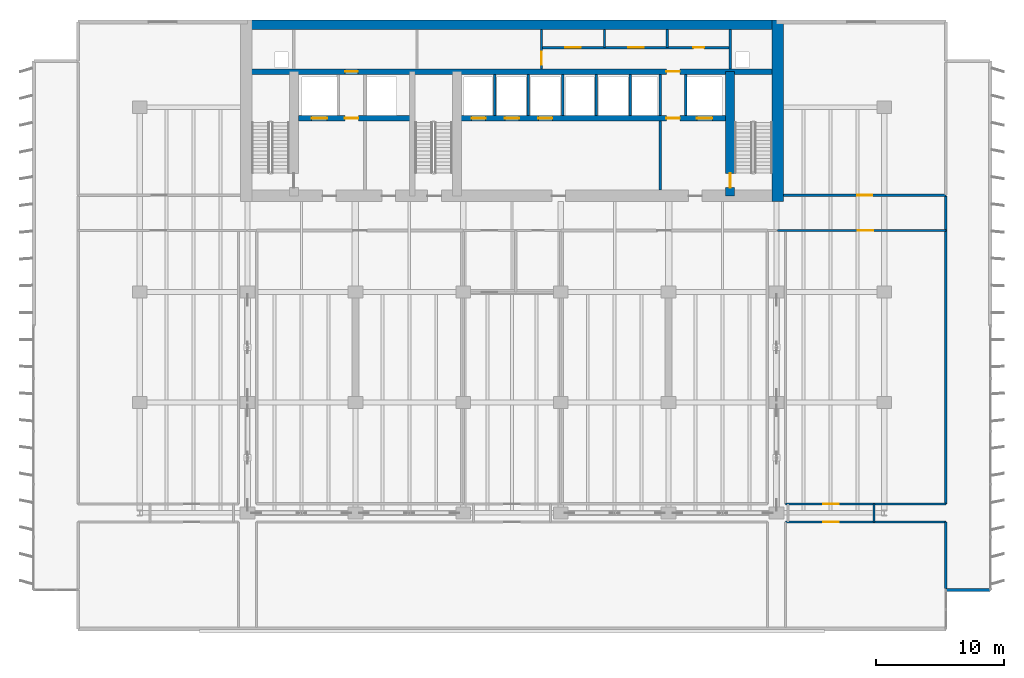
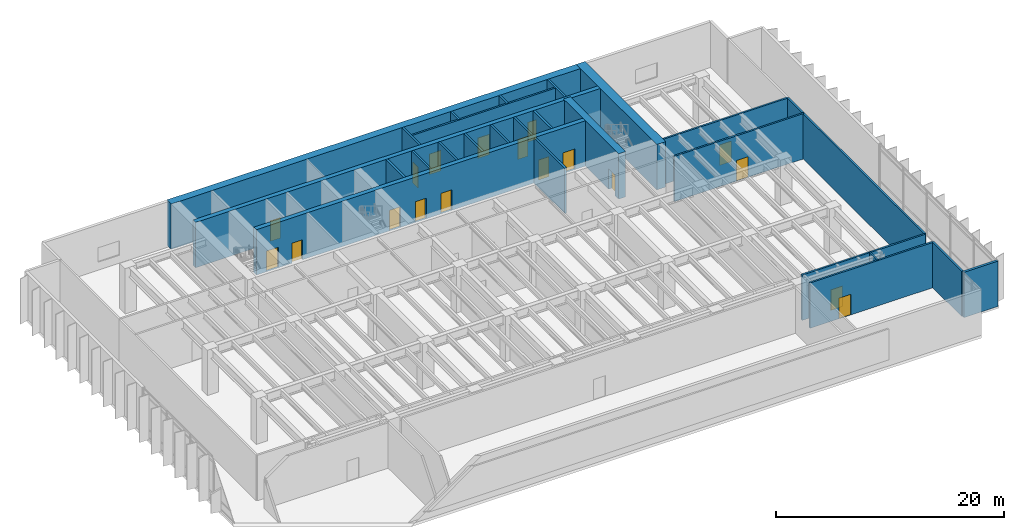
# One storey, part 16 of 21: 26 walls, 18 doors, 18 openings.
"""IFC4 building model written with IfcOpenShell, lengths in metres."""

from ifc_helpers import new_model, si_unit, direction, frame, frame_2d, origin, place, context, subcontext, project, spatial, rectangle, extrude, material, layer, layer_set, type_object, element, fill, save


model = new_model("IFC4")

# Units and contexts
model_context = context("Model", 3, precision=1e-05, world=origin(), true_north=direction((0.0, 1.0)))
body_context = subcontext(model_context, "Body", "Model", "MODEL_VIEW")
ifc_project = project(units=[si_unit("LENGTHUNIT", "METRE"), si_unit("AREAUNIT", "SQUARE_METRE"), si_unit("VOLUMEUNIT", "CUBIC_METRE"), si_unit("PLANEANGLEUNIT", "RADIAN"), si_unit("MASSUNIT", "GRAM", prefix="KILO")], contexts=[model_context])

# Site, building, storey
site_placement = place(None, origin())
site = spatial("IfcSite", under=ifc_project, at=site_placement, CompositionType="ELEMENT")
building_placement = place(site_placement, origin())
building = spatial("IfcBuilding", under=site, at=building_placement, Name="Caelmar Bay Residences", CompositionType="ELEMENT")
storey_placement = place(building_placement, frame((0.0, 0.0, 79.5)))
storey = spatial("IfcBuildingStorey", under=building, at=storey_placement, Name="L21", CompositionType="ELEMENT", Elevation=79.5)

# Wall, opening, door
ifc_material_1 = material(Name="Concrete f'c 55 MPa (8,000 psi)", Category="concrete")
ifc_layer_1 = layer(ifc_material_1, 0.699951171875)
ifc_layer_set_1 = layer_set([ifc_layer_1], Name="Concrete f'c 55 MPa (8,000 psi)")
wall_type_1 = type_object("IfcWallType", Name="SW-COR-700", PredefinedType="SHEAR", material=ifc_layer_set_1)
wall_1_placement = place(storey_placement, frame((55.89990234375, 36.89990234375, 0.0), z_axis=(0.0, 0.0, 1.0), x_axis=(0.0, 1.0, 0.0)))
wall_1 = element("IfcWall", 1, at=wall_1_placement, inside=storey, type_object=wall_type_1, Name="L21 Core Structural Web Wall ST2W", PredefinedType="SHEAR", context=body_context, shape_type="SweptSolid", body=[
    extrude(rectangle(XDim=9.675048828125, YDim=0.699951171875, at=frame_2d((4.83740234375, 0.0))), origin(), (0.0, 0.0, 1.0), 4.85009765625),
])
opening_1_placement = place(wall_1_placement, frame((0.64990234375, 0.0, 0.0)))
opening_1 = element("IfcOpeningElement", 2, at=opening_1_placement, cuts=wall_1, Name="Opening D-L21-111", PredefinedType="OPENING", context=body_context, shape_type="SweptSolid", body=[
    extrude(rectangle(XDim=1.10009765625, YDim=2.14990234375, at=frame_2d((0.550048828125, 1.074951171875))), frame((0.0, 0.35986328125, 0.0), z_axis=(0.0, -1.0, 0.0), x_axis=(1.0, 0.0, 0.0)), (0.0, 0.0, 1.0), 0.719970703125),
])
ifc_material_2 = material(Name="Fire-rated steel and walnut architectural door assembly", Category="steel")
ifc_layer_2 = layer(ifc_material_2, 0.050048828125)
ifc_layer_set_2 = layer_set([ifc_layer_2], Name="Fire-rated steel and walnut architectural door assembly")
door_type_1 = type_object("IfcDoorType", Name="D-STAIR-1100", OperationType="NOTDEFINED", PredefinedType="DOOR", material=ifc_layer_set_2)
door_1_placement = place(opening_1_placement, origin())
door_1 = element("IfcDoor", 3, at=door_1_placement, inside=storey, type_object=door_type_1, Name="L21 Firefighting Lobby East Door", OperationType="SINGLE_SWING_RIGHT", OverallHeight=2.14990234375, OverallWidth=1.10009765625, PredefinedType="DOOR", context=body_context, shape_type="SweptSolid", body=[
    extrude(rectangle(XDim=1.10009765625, YDim=2.14990234375, at=frame_2d((0.550048828125, 1.074951171875))), frame((0.0, 0.02490234375, 0.0), z_axis=(0.0, -1.0, 0.0), x_axis=(1.0, 0.0, 0.0)), (0.0, 0.0, 1.0), 0.050048828125),
])
fill(opening_1, door_1)

# Walls
ifc_material_3 = material(Name="Concrete f'c 70 MPa (10,000 psi)", Category="concrete")
ifc_layer_3 = layer(ifc_material_3, 0.89990234375)
ifc_layer_set_3 = layer_set([ifc_layer_3], Name="Concrete f'c 70 MPa (10,000 psi)")
wall_type_2 = type_object("IfcWallType", Name="SW-COR-900", PredefinedType="SHEAR", material=ifc_layer_set_3)
wall_2_placement = place(storey_placement, frame((59.60009765625, 36.449951171875, 0.0), z_axis=(0.0, 0.0, 1.0), x_axis=(0.0, 1.0, 0.0)))
element("IfcWall", 4, at=wall_2_placement, inside=storey, type_object=wall_type_2, Name="L21 Rear Core East Shear Wall", PredefinedType="SHEAR", context=body_context, shape_type="SweptSolid", body=[
    extrude(rectangle(XDim=14.150146484375, YDim=0.89990234375, at=frame_2d((7.0751953125, 0.0))), origin(), (0.0, 0.0, 1.0), 4.85009765625),
])
ifc_layer_4 = layer(ifc_material_3, 0.75)
ifc_layer_set_4 = layer_set([ifc_layer_4], Name="Concrete f'c 70 MPa (10,000 psi)")
wall_type_3 = type_object("IfcWallType", Name="SW-CORN-750", PredefinedType="SHEAR", material=ifc_layer_set_4)
wall_3_placement = place(storey_placement, frame((17.75, 50.22509765625, 0.0), z_axis=(0.0, 0.0, 1.0), x_axis=(1.0, 0.0, 0.0)))
element("IfcWall", 5, at=wall_3_placement, inside=storey, type_object=wall_type_3, Name="L21 Rear Core North Shear Wall", PredefinedType="SHEAR", context=body_context, shape_type="SweptSolid", body=[
    extrude(rectangle(XDim=42.300048828125, YDim=0.75, at=frame_2d((21.14990234375, 0.0))), origin(), (0.0, 0.0, 1.0), 4.85009765625),
])

# Wall, openings, doors
ifc_layer_5 = layer(ifc_material_3, 0.449951171875)
ifc_layer_set_5 = layer_set([ifc_layer_5], Name="Concrete f'c 70 MPa (10,000 psi)")
wall_type_4 = type_object("IfcWallType", Name="SW-WEB-450", PredefinedType="SHEAR", material=ifc_layer_set_5)
wall_4_placement = place(storey_placement, frame((22.25, 42.949951171875, 0.0), z_axis=(0.0, 0.0, 1.0), x_axis=(1.0, 0.0, 0.0)))
wall_4 = element("IfcWall", 6, at=wall_4_placement, inside=storey, type_object=wall_type_4, Name="L21 Core Structural Web Wall LFR", PredefinedType="SHEAR", context=body_context, shape_type="SweptSolid", body=[
    extrude(rectangle(XDim=33.300048828125, YDim=0.449951171875, at=frame_2d((16.64990234375, 0.0))), origin(), (0.0, 0.0, 1.0), 4.85009765625),
])
opening_2_placement = place(wall_4_placement, frame((1.050048828125, 0.0, 0.0)))
opening_2 = element("IfcOpeningElement", 7, at=opening_2_placement, cuts=wall_4, Name="Opening LD2", PredefinedType="OPENING", context=body_context, shape_type="SweptSolid", body=[
    extrude(rectangle(XDim=1.199951171875, YDim=2.199951171875, at=frame_2d((0.60009765625, 1.10009765625))), frame((0.0, 0.23486328125, 0.0), z_axis=(0.0, -1.0, 0.0), x_axis=(1.0, 0.0, 0.0)), (0.0, 0.0, 1.0), 0.469970703125),
])
opening_3_placement = place(wall_4_placement, frame((31.050048828125, 0.0, 0.0)))
opening_3 = element("IfcOpeningElement", 8, at=opening_3_placement, cuts=wall_4, Name="Opening LD2", PredefinedType="OPENING", context=body_context, shape_type="SweptSolid", body=[
    extrude(rectangle(XDim=1.199951171875, YDim=2.199951171875, at=frame_2d((0.60009765625, 1.10009765625))), frame((0.0, 0.23486328125, 0.0), z_axis=(0.0, -1.0, 0.0), x_axis=(1.0, 0.0, 0.0)), (0.0, 0.0, 1.0), 0.469970703125),
])
opening_4_placement = place(wall_4_placement, frame((13.5, 0.0, 0.0)))
opening_4 = element("IfcOpeningElement", 9, at=opening_4_placement, cuts=wall_4, Name="Opening LD1", PredefinedType="OPENING", context=body_context, shape_type="SweptSolid", body=[
    extrude(rectangle(XDim=1.10009765625, YDim=2.199951171875, at=frame_2d((0.550048828125, 1.10009765625))), frame((0.0, 0.23486328125, 0.0), z_axis=(0.0, -1.0, 0.0), x_axis=(1.0, 0.0, 0.0)), (0.0, 0.0, 1.0), 0.469970703125),
])
opening_5_placement = place(wall_4_placement, frame((16.10009765625, 0.0, 0.0)))
opening_5 = element("IfcOpeningElement", 10, at=opening_5_placement, cuts=wall_4, Name="Opening LD1", PredefinedType="OPENING", context=body_context, shape_type="SweptSolid", body=[
    extrude(rectangle(XDim=1.10009765625, YDim=2.199951171875, at=frame_2d((0.550048828125, 1.10009765625))), frame((0.0, 0.23486328125, 0.0), z_axis=(0.0, -1.0, 0.0), x_axis=(1.0, 0.0, 0.0)), (0.0, 0.0, 1.0), 0.469970703125),
])
opening_6_placement = place(wall_4_placement, frame((18.699951171875, 0.0, 0.0)))
opening_6 = element("IfcOpeningElement", 11, at=opening_6_placement, cuts=wall_4, Name="Opening LD1", PredefinedType="OPENING", context=body_context, shape_type="SweptSolid", body=[
    extrude(rectangle(XDim=1.10009765625, YDim=2.199951171875, at=frame_2d((0.550048828125, 1.10009765625))), frame((0.0, 0.23486328125, 0.0), z_axis=(0.0, -1.0, 0.0), x_axis=(1.0, 0.0, 0.0)), (0.0, 0.0, 1.0), 0.469970703125),
])
opening_7_placement = place(wall_4_placement, frame((3.625, 0.0, 0.0)))
opening_7 = element("IfcOpeningElement", 12, at=opening_7_placement, cuts=wall_4, Name="Opening D-L21-109", PredefinedType="OPENING", context=body_context, shape_type="SweptSolid", body=[
    extrude(rectangle(XDim=1.050048828125, YDim=2.14990234375, at=frame_2d((0.52490234375, 1.074951171875))), frame((0.0, 0.23486328125, 0.0), z_axis=(0.0, -1.0, 0.0), x_axis=(1.0, 0.0, 0.0)), (0.0, 0.0, 1.0), 0.469970703125),
])
opening_8_placement = place(wall_4_placement, frame((28.675048828125, 0.0, 0.0)))
opening_8 = element("IfcOpeningElement", 13, at=opening_8_placement, cuts=wall_4, Name="Opening D-L21-112", PredefinedType="OPENING", context=body_context, shape_type="SweptSolid", body=[
    extrude(rectangle(XDim=1.050048828125, YDim=2.14990234375, at=frame_2d((0.52490234375, 1.074951171875))), frame((0.0, 0.23486328125, 0.0), z_axis=(0.0, -1.0, 0.0), x_axis=(1.0, 0.0, 0.0)), (0.0, 0.0, 1.0), 0.469970703125),
])
ifc_layer_6 = layer(ifc_material_2, 0.050048828125)
ifc_layer_set_6 = layer_set([ifc_layer_6], Name="Fire-rated steel and walnut architectural door assembly")
door_type_2 = type_object("IfcDoorType", Name="D-FSAE-1050", OperationType="NOTDEFINED", PredefinedType="DOOR", material=ifc_layer_set_6)
door_2_placement = place(opening_7_placement, origin())
door_2 = element("IfcDoor", 14, at=door_2_placement, inside=storey, type_object=door_type_2, Name="L21 Firefighting Lobby West Door", OperationType="SINGLE_SWING_RIGHT", OverallHeight=2.14990234375, OverallWidth=1.050048828125, PredefinedType="DOOR", context=body_context, shape_type="SweptSolid", body=[
    extrude(rectangle(XDim=1.050048828125, YDim=2.14990234375, at=frame_2d((0.52490234375, 1.074951171875))), frame((0.0, 0.02490234375, 0.0), z_axis=(0.0, -1.0, 0.0), x_axis=(1.0, 0.0, 0.0)), (0.0, 0.0, 1.0), 0.050048828125),
])
fill(opening_7, door_2)
door_3_placement = place(opening_8_placement, origin())
door_3 = element("IfcDoor", 15, at=door_3_placement, inside=storey, type_object=door_type_2, Name="L21 Firefighting Lobby East Door", OperationType="SINGLE_SWING_LEFT", OverallHeight=2.14990234375, OverallWidth=1.050048828125, PredefinedType="DOOR", context=body_context, shape_type="SweptSolid", body=[
    extrude(rectangle(XDim=1.050048828125, YDim=2.14990234375, at=frame_2d((0.52490234375, 1.074951171875))), frame((0.0, 0.02490234375, 0.0), z_axis=(0.0, -1.0, 0.0), x_axis=(1.0, 0.0, 0.0)), (0.0, 0.0, 1.0), 0.050048828125),
])
fill(opening_8, door_3)
ifc_material_4 = material(Name="Brushed bronze stainless-steel fire-rated lift landing doors", Category="steel")
ifc_layer_7 = layer(ifc_material_4, 0.050048828125)
ifc_layer_set_7 = layer_set([ifc_layer_7], Name="Brushed bronze stainless-steel fire-rated lift landing doors")
door_type_3 = type_object("IfcDoorType", Name="D-LND-1100", OperationType="DOUBLE_DOOR_SLIDING", PredefinedType="DOOR", material=ifc_layer_set_7)
door_4_placement = place(opening_4_placement, origin())
door_4 = element("IfcDoor", 16, at=door_4_placement, inside=storey, type_object=door_type_3, Name="L21 LP1 Sliding Landing Door", OperationType="DOUBLE_DOOR_SLIDING", OverallHeight=2.199951171875, OverallWidth=1.10009765625, PredefinedType="DOOR", context=body_context, shape_type="SweptSolid", body=[
    extrude(rectangle(XDim=1.10009765625, YDim=2.199951171875, at=frame_2d((0.550048828125, 1.10009765625))), frame((0.0, 0.02490234375, 0.0), z_axis=(0.0, -1.0, 0.0), x_axis=(1.0, 0.0, 0.0)), (0.0, 0.0, 1.0), 0.050048828125),
])
fill(opening_4, door_4)
door_5_placement = place(opening_5_placement, origin())
door_5 = element("IfcDoor", 17, at=door_5_placement, inside=storey, type_object=door_type_3, Name="L21 LP2 Sliding Landing Door", OperationType="DOUBLE_DOOR_SLIDING", OverallHeight=2.199951171875, OverallWidth=1.10009765625, PredefinedType="DOOR", context=body_context, shape_type="SweptSolid", body=[
    extrude(rectangle(XDim=1.10009765625, YDim=2.199951171875, at=frame_2d((0.550048828125, 1.10009765625))), frame((0.0, 0.02490234375, 0.0), z_axis=(0.0, -1.0, 0.0), x_axis=(1.0, 0.0, 0.0)), (0.0, 0.0, 1.0), 0.050048828125),
])
fill(opening_5, door_5)
door_6_placement = place(opening_6_placement, origin())
door_6 = element("IfcDoor", 18, at=door_6_placement, inside=storey, type_object=door_type_3, Name="L21 LP3 Sliding Landing Door", OperationType="DOUBLE_DOOR_SLIDING", OverallHeight=2.199951171875, OverallWidth=1.10009765625, PredefinedType="DOOR", context=body_context, shape_type="SweptSolid", body=[
    extrude(rectangle(XDim=1.10009765625, YDim=2.199951171875, at=frame_2d((0.550048828125, 1.10009765625))), frame((0.0, 0.02490234375, 0.0), z_axis=(0.0, -1.0, 0.0), x_axis=(1.0, 0.0, 0.0)), (0.0, 0.0, 1.0), 0.050048828125),
])
fill(opening_6, door_6)
ifc_material_5 = material(Name="Brushed stainless-steel FSAE sliding landing door", Category="steel")
ifc_layer_8 = layer(ifc_material_5, 0.050048828125)
ifc_layer_set_8 = layer_set([ifc_layer_8], Name="Brushed stainless-steel FSAE sliding landing door")
door_type_4 = type_object("IfcDoorType", Name="D-LND-1200", OperationType="DOUBLE_DOOR_SLIDING", PredefinedType="DOOR", material=ifc_layer_set_8)
door_7_placement = place(opening_2_placement, origin())
door_7 = element("IfcDoor", 19, at=door_7_placement, inside=storey, type_object=door_type_4, Name="L21 LF1 Sliding Landing Door", OperationType="DOUBLE_DOOR_SLIDING", OverallHeight=2.199951171875, OverallWidth=1.199951171875, PredefinedType="DOOR", context=body_context, shape_type="SweptSolid", body=[
    extrude(rectangle(XDim=1.199951171875, YDim=2.199951171875, at=frame_2d((0.60009765625, 1.10009765625))), frame((0.0, 0.02490234375, 0.0), z_axis=(0.0, -1.0, 0.0), x_axis=(1.0, 0.0, 0.0)), (0.0, 0.0, 1.0), 0.050048828125),
])
fill(opening_2, door_7)
door_8_placement = place(opening_3_placement, origin())
door_8 = element("IfcDoor", 20, at=door_8_placement, inside=storey, type_object=door_type_4, Name="L21 LF2 Sliding Landing Door", OperationType="DOUBLE_DOOR_SLIDING", OverallHeight=2.199951171875, OverallWidth=1.199951171875, PredefinedType="DOOR", context=body_context, shape_type="SweptSolid", body=[
    extrude(rectangle(XDim=1.199951171875, YDim=2.199951171875, at=frame_2d((0.60009765625, 1.10009765625))), frame((0.0, 0.02490234375, 0.0), z_axis=(0.0, -1.0, 0.0), x_axis=(1.0, 0.0, 0.0)), (0.0, 0.0, 1.0), 0.050048828125),
])
fill(opening_3, door_8)

wall_5_placement = place(storey_placement, frame((18.199951171875, 46.574951171875, 0.0), z_axis=(0.0, 0.0, 1.0), x_axis=(1.0, 0.0, 0.0)))
wall_5 = element("IfcWall", 21, at=wall_5_placement, inside=storey, type_object=wall_type_4, Name="L21 Core Structural Web Wall SRVS", PredefinedType="SHEAR", context=body_context, shape_type="SweptSolid", body=[
    extrude(rectangle(XDim=41.400146484375, YDim=0.449951171875, at=frame_2d((20.7001953125, 0.0))), origin(), (0.0, 0.0, 1.0), 4.85009765625),
])
opening_9_placement = place(wall_5_placement, frame((7.699951171875, 0.0, 0.0)))
opening_9 = element("IfcOpeningElement", 22, at=opening_9_placement, cuts=wall_5, Name="Opening D-L21-115", PredefinedType="OPENING", context=body_context, shape_type="SweptSolid", body=[
    extrude(rectangle(XDim=1.0, YDim=2.199951171875, at=frame_2d((0.5, 1.10009765625))), frame((0.0, 0.23486328125, 0.0), z_axis=(0.0, -1.0, 0.0), x_axis=(1.0, 0.0, 0.0)), (0.0, 0.0, 1.0), 0.469970703125),
])
opening_10_placement = place(wall_5_placement, frame((32.72509765625, 0.0, 0.0)))
opening_10 = element("IfcOpeningElement", 23, at=opening_10_placement, cuts=wall_5, Name="Opening D-L21-116", PredefinedType="OPENING", context=body_context, shape_type="SweptSolid", body=[
    extrude(rectangle(XDim=1.050048828125, YDim=2.14990234375, at=frame_2d((0.52490234375, 1.074951171875))), frame((0.0, 0.23486328125, 0.0), z_axis=(0.0, -1.0, 0.0), x_axis=(1.0, 0.0, 0.0)), (0.0, 0.0, 1.0), 0.469970703125),
])
door_9_placement = place(opening_10_placement, origin())
door_9 = element("IfcDoor", 24, at=door_9_placement, inside=storey, type_object=door_type_2, Name="L21 East Core Service Corridor Door", OperationType="SINGLE_SWING_LEFT", OverallHeight=2.14990234375, OverallWidth=1.050048828125, PredefinedType="DOOR", context=body_context, shape_type="SweptSolid", body=[
    extrude(rectangle(XDim=1.050048828125, YDim=2.14990234375, at=frame_2d((0.52490234375, 1.074951171875))), frame((0.0, 0.02490234375, 0.0), z_axis=(0.0, -1.0, 0.0), x_axis=(1.0, 0.0, 0.0)), (0.0, 0.0, 1.0), 0.050048828125),
])
fill(opening_10, door_9)
ifc_layer_9 = layer(ifc_material_2, 0.050048828125)
ifc_layer_set_9 = layer_set([ifc_layer_9], Name="Fire-rated steel and walnut architectural door assembly")
door_type_5 = type_object("IfcDoorType", Name="D-UNIT-1000", OperationType="NOTDEFINED", PredefinedType="DOOR", material=ifc_layer_set_9)
door_10_placement = place(opening_9_placement, origin())
door_10 = element("IfcDoor", 25, at=door_10_placement, inside=storey, type_object=door_type_5, Name="L21 Package Concierge Office Door", OperationType="SINGLE_SWING_RIGHT", OverallHeight=2.199951171875, OverallWidth=1.0, PredefinedType="DOOR", context=body_context, shape_type="SweptSolid", body=[
    extrude(rectangle(XDim=1.0, YDim=2.199951171875, at=frame_2d((0.5, 1.10009765625))), frame((0.0, 0.02490234375, 0.0), z_axis=(0.0, -1.0, 0.0), x_axis=(1.0, 0.0, 0.0)), (0.0, 0.0, 1.0), 0.050048828125),
])
fill(opening_9, door_10)

# Wall, opening, door
ifc_material_6 = material(Name="Double-stud acoustic fire-rated gypsum partition 180 mm")
ifc_layer_10 = layer(ifc_material_6, 0.179931640625)
ifc_layer_set_10 = layer_set([ifc_layer_10], Name="Double-stud acoustic fire-rated gypsum partition 180 mm")
wall_type_5 = type_object("IfcWallType", Name="W-COR-200", PredefinedType="PARTITIONING", material=ifc_layer_set_10)
wall_6_placement = place(storey_placement, frame((41.199951171875, 46.794921875, 0.0), z_axis=(0.0, 0.0, 1.0), x_axis=(0.0, 1.0, 0.0)))
wall_6 = element("IfcWall", 26, at=wall_6_placement, inside=storey, type_object=wall_type_5, Name="L21 Partition Wall V020", PredefinedType="PARTITIONING", context=body_context, shape_type="SweptSolid", body=[
    extrude(rectangle(XDim=3.06005859375, YDim=0.179931640625, at=frame_2d((1.530029296875, 0.0))), origin(), (0.0, 0.0, 1.0), 4.85009765625),
])
opening_11_placement = place(wall_6_placement, frame((0.327392578125, 0.0, 0.0)))
opening_11 = element("IfcOpeningElement", 27, at=opening_11_placement, cuts=wall_6, Name="Opening D-L21-117", PredefinedType="OPENING", context=body_context, shape_type="SweptSolid", body=[
    extrude(rectangle(XDim=1.0, YDim=2.199951171875, at=frame_2d((0.5, 1.10009765625))), frame((0.0, 0.099853515625, 0.0), z_axis=(0.0, -1.0, 0.0), x_axis=(1.0, 0.0, 0.0)), (0.0, 0.0, 1.0), 0.199951171875),
])
door_11_placement = place(opening_11_placement, origin())
door_11 = element("IfcDoor", 28, at=door_11_placement, inside=storey, type_object=door_type_5, Name="L21 Engineering Control Office Door", OperationType="SINGLE_SWING_RIGHT", OverallHeight=2.199951171875, OverallWidth=1.0, PredefinedType="DOOR", context=body_context, shape_type="SweptSolid", body=[
    extrude(rectangle(XDim=1.0, YDim=2.199951171875, at=frame_2d((0.5, 1.10009765625))), frame((0.0, 0.02490234375, 0.0), z_axis=(0.0, -1.0, 0.0), x_axis=(1.0, 0.0, 0.0)), (0.0, 0.0, 1.0), 0.050048828125),
])
fill(opening_11, door_11)

# Walls
for number, where, z_axis, x_axis, name in (
    (29, (46.10009765625, 48.449951171875, 0.0), (0.0, 0.0, 1.0), (0.0, 1.0, 0.0), "L21 Partition Wall V025"),
    (30, (51.0, 48.449951171875, 0.0), (0.0, 0.0, 1.0), (0.0, 1.0, 0.0), "L21 Partition Wall V029"),
):
    element("IfcWall", number, at=place(storey_placement, frame(where, z_axis=z_axis, x_axis=x_axis)), inside=storey, type_object=wall_type_5, Name=name, PredefinedType="PARTITIONING", context=body_context, shape_type="SweptSolid", body=[
        extrude(rectangle(XDim=1.405029296875, YDim=0.179931640625, at=frame_2d((0.70263671875, 0.0))), origin(), (0.0, 0.0, 1.0), 4.85009765625),
    ])
wall_7_placement = place(storey_placement, frame((67.10009765625, 11.5, 0.0), z_axis=(0.0, 0.0, 1.0), x_axis=(0.0, 1.0, 0.0)))
element("IfcWall", 31, at=wall_7_placement, inside=storey, type_object=wall_type_5, Name="L21 Partition Wall V037", PredefinedType="PARTITIONING", context=body_context, shape_type="SweptSolid", body=[
    extrude(rectangle(XDim=1.39990234375, YDim=0.179931640625, at=frame_2d((0.699951171875, 0.0))), origin(), (0.0, 0.0, 1.0), 4.85009765625),
])
wall_8_placement = place(storey_placement, frame((72.699951171875, 6.320068359375, 0.0), z_axis=(0.0, 0.0, 1.0), x_axis=(0.0, 1.0, 0.0)))
element("IfcWall", 32, at=wall_8_placement, inside=storey, type_object=wall_type_5, Name="L21 Partition Wall V038", PredefinedType="PARTITIONING", context=body_context, shape_type="SweptSolid", body=[
    extrude(rectangle(XDim=5.179931640625, YDim=0.179931640625, at=frame_2d((2.58984375, 0.0))), origin(), (0.0, 0.0, 1.0), 4.85009765625),
])
wall_9_placement = place(storey_placement, frame((72.699951171875, 12.89990234375, 0.0), z_axis=(0.0, 0.0, 1.0), x_axis=(0.0, 1.0, 0.0)))
element("IfcWall", 33, at=wall_9_placement, inside=storey, type_object=wall_type_5, Name="L21 Partition Wall V039", PredefinedType="PARTITIONING", context=body_context, shape_type="SweptSolid", body=[
    extrude(rectangle(XDim=24.0, YDim=0.179931640625, at=frame_2d((12.0, 0.0))), origin(), (0.0, 0.0, 1.0), 4.85009765625),
])

# Wall, opening, door
wall_10_placement = place(storey_placement, frame((60.199951171875, 11.5, 0.0), z_axis=(0.0, 0.0, 1.0), x_axis=(1.0, 0.0, 0.0)))
wall_10 = element("IfcWall", 34, at=wall_10_placement, inside=storey, type_object=wall_type_5, Name="L21 Partition Wall H043", PredefinedType="PARTITIONING", context=body_context, shape_type="SweptSolid", body=[
    extrude(rectangle(XDim=12.5, YDim=0.179931640625, at=frame_2d((6.25, 0.0))), origin(), (0.0, 0.0, 1.0), 4.85009765625),
])
opening_12_placement = place(wall_10_placement, frame((2.949951171875, 0.0, 0.0)))
opening_12 = element("IfcOpeningElement", 35, at=opening_12_placement, cuts=wall_10, Name="Opening D-L21-135", PredefinedType="OPENING", context=body_context, shape_type="SweptSolid", body=[
    extrude(rectangle(XDim=1.199951171875, YDim=2.199951171875, at=frame_2d((0.60009765625, 1.10009765625))), frame((0.0, 0.099853515625, 0.0), z_axis=(0.0, -1.0, 0.0), x_axis=(1.0, 0.0, 0.0)), (0.0, 0.0, 1.0), 0.199951171875),
])
ifc_layer_11 = layer(ifc_material_2, 0.050048828125)
ifc_layer_set_11 = layer_set([ifc_layer_11], Name="Fire-rated steel and walnut architectural door assembly")
door_type_6 = type_object("IfcDoorType", Name="D-PLANT-1200", OperationType="NOTDEFINED", PredefinedType="DOOR", material=ifc_layer_set_11)
door_12_placement = place(opening_12_placement, origin())
door_12 = element("IfcDoor", 36, at=door_12_placement, inside=storey, type_object=door_type_6, Name="L21 East Intake Plenum Plant Room L21 Door", OperationType="SINGLE_SWING_RIGHT", OverallHeight=2.199951171875, OverallWidth=1.199951171875, PredefinedType="DOOR", context=body_context, shape_type="SweptSolid", body=[
    extrude(rectangle(XDim=1.199951171875, YDim=2.199951171875, at=frame_2d((0.60009765625, 1.10009765625))), frame((0.0, 0.02490234375, 0.0), z_axis=(0.0, -1.0, 0.0), x_axis=(1.0, 0.0, 0.0)), (0.0, 0.0, 1.0), 0.050048828125),
])
fill(opening_12, door_12)

wall_11_placement = place(storey_placement, frame((60.199951171875, 12.89990234375, 0.0), z_axis=(0.0, 0.0, 1.0), x_axis=(1.0, 0.0, 0.0)))
wall_11 = element("IfcWall", 37, at=wall_11_placement, inside=storey, type_object=wall_type_5, Name="L21 Partition Wall H048", PredefinedType="PARTITIONING", context=body_context, shape_type="SweptSolid", body=[
    extrude(rectangle(XDim=12.5, YDim=0.179931640625, at=frame_2d((6.25, 0.0))), origin(), (0.0, 0.0, 1.0), 4.85009765625),
])
opening_13_placement = place(wall_11_placement, frame((2.949951171875, 0.0, 0.0)))
opening_13 = element("IfcOpeningElement", 38, at=opening_13_placement, cuts=wall_11, Name="Opening D-L21-134", PredefinedType="OPENING", context=body_context, shape_type="SweptSolid", body=[
    extrude(rectangle(XDim=1.199951171875, YDim=2.199951171875, at=frame_2d((0.60009765625, 1.10009765625))), frame((0.0, 0.099853515625, 0.0), z_axis=(0.0, -1.0, 0.0), x_axis=(1.0, 0.0, 0.0)), (0.0, 0.0, 1.0), 0.199951171875),
])
door_13_placement = place(opening_13_placement, origin())
door_13 = element("IfcDoor", 39, at=door_13_placement, inside=storey, type_object=door_type_6, Name="L21 East Intake Duct Plant Room L21 Door", OperationType="SINGLE_SWING_LEFT", OverallHeight=2.199951171875, OverallWidth=1.199951171875, PredefinedType="DOOR", context=body_context, shape_type="SweptSolid", body=[
    extrude(rectangle(XDim=1.199951171875, YDim=2.199951171875, at=frame_2d((0.60009765625, 1.10009765625))), frame((0.0, 0.02490234375, 0.0), z_axis=(0.0, -1.0, 0.0), x_axis=(1.0, 0.0, 0.0)), (0.0, 0.0, 1.0), 0.050048828125),
])
fill(opening_13, door_13)

wall_12_placement = place(storey_placement, frame((59.60009765625, 34.199951171875, 0.0), z_axis=(0.0, 0.0, 1.0), x_axis=(1.0, 0.0, 0.0)))
wall_12 = element("IfcWall", 40, at=wall_12_placement, inside=storey, type_object=wall_type_5, Name="L21 Partition Wall H056", PredefinedType="PARTITIONING", context=body_context, shape_type="SweptSolid", body=[
    extrude(rectangle(XDim=13.099853515625, YDim=0.179931640625, at=frame_2d((6.5498046875, 0.0))), origin(), (0.0, 0.0, 1.0), 4.85009765625),
])
opening_14_placement = place(wall_12_placement, frame((6.25, 0.0, 0.0)))
opening_14 = element("IfcOpeningElement", 41, at=opening_14_placement, cuts=wall_12, Name="Opening D-L21-126", PredefinedType="OPENING", context=body_context, shape_type="SweptSolid", body=[
    extrude(rectangle(XDim=1.199951171875, YDim=2.199951171875, at=frame_2d((0.60009765625, 1.10009765625))), frame((0.0, 0.099853515625, 0.0), z_axis=(0.0, -1.0, 0.0), x_axis=(1.0, 0.0, 0.0)), (0.0, 0.0, 1.0), 0.199951171875),
])
door_14_placement = place(opening_14_placement, origin())
door_14 = element("IfcDoor", 42, at=door_14_placement, inside=storey, type_object=door_type_6, Name="L21 Outrigger Control Plant Room L21 Door", OperationType="SINGLE_SWING_LEFT", OverallHeight=2.199951171875, OverallWidth=1.199951171875, PredefinedType="DOOR", context=body_context, shape_type="SweptSolid", body=[
    extrude(rectangle(XDim=1.199951171875, YDim=2.199951171875, at=frame_2d((0.60009765625, 1.10009765625))), frame((0.0, 0.02490234375, 0.0), z_axis=(0.0, -1.0, 0.0), x_axis=(1.0, 0.0, 0.0)), (0.0, 0.0, 1.0), 0.050048828125),
])
fill(opening_14, door_14)

wall_13_placement = place(storey_placement, frame((60.054931640625, 36.949951171875, 0.0), z_axis=(0.0, 0.0, 1.0), x_axis=(1.0, 0.0, 0.0)))
wall_13 = element("IfcWall", 43, at=wall_13_placement, inside=storey, type_object=wall_type_5, Name="L21 Partition Wall H058", PredefinedType="PARTITIONING", context=body_context, shape_type="SweptSolid", body=[
    extrude(rectangle(XDim=12.64501953125, YDim=0.179931640625, at=frame_2d((6.322509765625, 0.0))), origin(), (0.0, 0.0, 1.0), 4.85009765625),
])
opening_15_placement = place(wall_13_placement, frame((5.722412109375, 0.0, 0.0)))
opening_15 = element("IfcOpeningElement", 44, at=opening_15_placement, cuts=wall_13, Name="Opening D-L21-128", PredefinedType="OPENING", context=body_context, shape_type="SweptSolid", body=[
    extrude(rectangle(XDim=1.199951171875, YDim=2.199951171875, at=frame_2d((0.60009765625, 1.10009765625))), frame((0.0, 0.099853515625, 0.0), z_axis=(0.0, -1.0, 0.0), x_axis=(1.0, 0.0, 0.0)), (0.0, 0.0, 1.0), 0.199951171875),
])
door_15_placement = place(opening_15_placement, origin())
door_15 = element("IfcDoor", 45, at=door_15_placement, inside=storey, type_object=door_type_6, Name="L21 North Relief Plant Room L21 Door", OperationType="SINGLE_SWING_LEFT", OverallHeight=2.199951171875, OverallWidth=1.199951171875, PredefinedType="DOOR", context=body_context, shape_type="SweptSolid", body=[
    extrude(rectangle(XDim=1.199951171875, YDim=2.199951171875, at=frame_2d((0.60009765625, 1.10009765625))), frame((0.0, 0.02490234375, 0.0), z_axis=(0.0, -1.0, 0.0), x_axis=(1.0, 0.0, 0.0)), (0.0, 0.0, 1.0), 0.050048828125),
])
fill(opening_15, door_15)

# Wall, openings, doors
wall_14_placement = place(storey_placement, frame((41.199951171875, 48.449951171875, 0.0), z_axis=(0.0, 0.0, 1.0), x_axis=(1.0, 0.0, 0.0)))
wall_14 = element("IfcWall", 46, at=wall_14_placement, inside=storey, type_object=wall_type_5, Name="L21 Partition Wall H059", PredefinedType="PARTITIONING", context=body_context, shape_type="SweptSolid", body=[
    extrude(rectangle(XDim=14.699951171875, YDim=0.179931640625, at=frame_2d((7.35009765625, 0.0))), origin(), (0.0, 0.0, 1.0), 4.85009765625),
])
opening_16_placement = place(wall_14_placement, frame((1.85009765625, 0.0, 0.0)))
opening_16 = element("IfcOpeningElement", 47, at=opening_16_placement, cuts=wall_14, Name="Opening D-L21-118", PredefinedType="OPENING", context=body_context, shape_type="SweptSolid", body=[
    extrude(rectangle(XDim=1.199951171875, YDim=2.199951171875, at=frame_2d((0.60009765625, 1.10009765625))), frame((0.0, 0.099853515625, 0.0), z_axis=(0.0, -1.0, 0.0), x_axis=(1.0, 0.0, 0.0)), (0.0, 0.0, 1.0), 0.199951171875),
])
opening_17_placement = place(wall_14_placement, frame((6.75, 0.0, 0.0)))
opening_17 = element("IfcOpeningElement", 48, at=opening_17_placement, cuts=wall_14, Name="Opening D-L21-119", PredefinedType="OPENING", context=body_context, shape_type="SweptSolid", body=[
    extrude(rectangle(XDim=1.199951171875, YDim=2.199951171875, at=frame_2d((0.60009765625, 1.10009765625))), frame((0.0, 0.099853515625, 0.0), z_axis=(0.0, -1.0, 0.0), x_axis=(1.0, 0.0, 0.0)), (0.0, 0.0, 1.0), 0.199951171875),
])
opening_18_placement = place(wall_14_placement, frame((11.824951171875, 0.0, 0.0)))
opening_18 = element("IfcOpeningElement", 49, at=opening_18_placement, cuts=wall_14, Name="Opening D-L21-120", PredefinedType="OPENING", context=body_context, shape_type="SweptSolid", body=[
    extrude(rectangle(XDim=0.85009765625, YDim=2.10009765625, at=frame_2d((0.425048828125, 1.050048828125))), frame((0.0, 0.099853515625, 0.0), z_axis=(0.0, -1.0, 0.0), x_axis=(1.0, 0.0, 0.0)), (0.0, 0.0, 1.0), 0.199951171875),
])
ifc_layer_12 = layer(ifc_material_2, 0.050048828125)
ifc_layer_set_12 = layer_set([ifc_layer_12], Name="Fire-rated steel and walnut architectural door assembly")
door_type_7 = type_object("IfcDoorType", Name="D-CORE-850", OperationType="NOTDEFINED", PredefinedType="DOOR", material=ifc_layer_set_12)
door_16_placement = place(opening_18_placement, origin())
door_16 = element("IfcDoor", 50, at=door_16_placement, inside=storey, type_object=door_type_7, Name="L21 Accessible Staff WC Door", OperationType="SINGLE_SWING_LEFT", OverallHeight=2.10009765625, OverallWidth=0.85009765625, PredefinedType="DOOR", context=body_context, shape_type="SweptSolid", body=[
    extrude(rectangle(XDim=0.85009765625, YDim=2.10009765625, at=frame_2d((0.425048828125, 1.050048828125))), frame((0.0, 0.02490234375, 0.0), z_axis=(0.0, -1.0, 0.0), x_axis=(1.0, 0.0, 0.0)), (0.0, 0.0, 1.0), 0.050048828125),
])
fill(opening_18, door_16)
door_17_placement = place(opening_16_placement, origin())
door_17 = element("IfcDoor", 51, at=door_17_placement, inside=storey, type_object=door_type_6, Name="L21 Electrical Closet Door", OperationType="SINGLE_SWING_LEFT", OverallHeight=2.199951171875, OverallWidth=1.199951171875, PredefinedType="DOOR", context=body_context, shape_type="SweptSolid", body=[
    extrude(rectangle(XDim=1.199951171875, YDim=2.199951171875, at=frame_2d((0.60009765625, 1.10009765625))), frame((0.0, 0.02490234375, 0.0), z_axis=(0.0, -1.0, 0.0), x_axis=(1.0, 0.0, 0.0)), (0.0, 0.0, 1.0), 0.050048828125),
])
fill(opening_16, door_17)
door_18_placement = place(opening_17_placement, origin())
door_18 = element("IfcDoor", 52, at=door_18_placement, inside=storey, type_object=door_type_6, Name="L21 Housekeeping Linen Closet Door", OperationType="SINGLE_SWING_RIGHT", OverallHeight=2.199951171875, OverallWidth=1.199951171875, PredefinedType="DOOR", context=body_context, shape_type="SweptSolid", body=[
    extrude(rectangle(XDim=1.199951171875, YDim=2.199951171875, at=frame_2d((0.60009765625, 1.10009765625))), frame((0.0, 0.02490234375, 0.0), z_axis=(0.0, -1.0, 0.0), x_axis=(1.0, 0.0, 0.0)), (0.0, 0.0, 1.0), 0.050048828125),
])
fill(opening_17, door_18)

# Walls
ifc_material_7 = material(Name="Precast concrete f'c 40 MPa (6,000 psi)", Category="concrete")
ifc_layer_13 = layer(ifc_material_7, 0.25)
ifc_layer_set_13 = layer_set([ifc_layer_13], Name="Precast concrete f'c 40 MPa (6,000 psi)")
wall_type_6 = type_object("IfcWallType", Name="W-EXT-250", PredefinedType="ELEMENTEDWALL", material=ifc_layer_set_13)
wall_15_placement = place(storey_placement, frame((72.699951171875, 6.199951171875, 0.0), z_axis=(0.0, 0.0, 1.0), x_axis=(1.0, 0.0, 0.0)))
element("IfcWall", 53, at=wall_15_placement, inside=storey, type_object=wall_type_6, Name="L21 SE Notch Return Wall", PredefinedType="ELEMENTEDWALL", context=body_context, shape_type="SweptSolid", body=[
    extrude(rectangle(XDim=3.449951171875, YDim=0.25, at=frame_2d((1.72509765625, 0.0))), origin(), (0.0, 0.0, 1.0), 4.85009765625),
])
ifc_material_8 = material(Name="Fire-rated masonry and gypsum shaftliner assembly 200 mm", Category="masonry")
ifc_layer_14 = layer(ifc_material_8, 0.199951171875)
ifc_layer_set_14 = layer_set([ifc_layer_14], Name="Fire-rated masonry and gypsum shaftliner assembly 200 mm")
wall_type_7 = type_object("IfcWallType", Name="W-FSAE-200", PredefinedType="PARTITIONING", material=ifc_layer_set_14)
for number, where, z_axis, x_axis, name in (
    (54, (37.550048828125, 43.169921875, 0.0), (0.0, 0.0, 1.0), (0.0, 1.0, 0.0), "L21 Partition Wall V017"),
    (55, (40.14990234375, 43.169921875, 0.0), (0.0, 0.0, 1.0), (0.0, 1.0, 0.0), "L21 Partition Wall V019"),
    (56, (42.85009765625, 43.169921875, 0.0), (0.0, 0.0, 1.0), (0.0, 1.0, 0.0), "L21 Partition Wall V023"),
    (57, (45.449951171875, 43.169921875, 0.0), (0.0, 0.0, 1.0), (0.0, 1.0, 0.0), "L21 Partition Wall V024"),
    (58, (48.10009765625, 43.169921875, 0.0), (0.0, 0.0, 1.0), (0.0, 1.0, 0.0), "L21 Partition Wall V026"),
):
    element("IfcWall", number, at=place(storey_placement, frame(where, z_axis=z_axis, x_axis=x_axis)), inside=storey, type_object=wall_type_7, Name=name, PredefinedType="PARTITIONING", context=body_context, shape_type="SweptSolid", body=[
        extrude(rectangle(XDim=3.18505859375, YDim=0.199951171875, at=frame_2d((1.592529296875, 0.0))), origin(), (0.0, 0.0, 1.0), 4.85009765625),
    ])
wall_16_placement = place(storey_placement, frame((50.449951171875, 37.344970703125, 0.0), z_axis=(0.0, 0.0, 1.0), x_axis=(0.0, 1.0, 0.0)))
element("IfcWall", 59, at=wall_16_placement, inside=storey, type_object=wall_type_7, Name="L21 Partition Wall V027", PredefinedType="PARTITIONING", context=body_context, shape_type="SweptSolid", body=[
    extrude(rectangle(XDim=5.385009765625, YDim=0.199951171875, at=frame_2d((2.6923828125, 0.0))), origin(), (0.0, 0.0, 1.0), 4.85009765625),
])
for number, where, z_axis, x_axis, name in (
    (60, (50.449951171875, 43.169921875, 0.0), (0.0, 0.0, 1.0), (0.0, 1.0, 0.0), "L21 Partition Wall V028"),
    (61, (52.449951171875, 43.169921875, 0.0), (0.0, 0.0, 1.0), (0.0, 1.0, 0.0), "L21 Partition Wall V030"),
):
    element("IfcWall", number, at=place(storey_placement, frame(where, z_axis=z_axis, x_axis=x_axis)), inside=storey, type_object=wall_type_7, Name=name, PredefinedType="PARTITIONING", context=body_context, shape_type="SweptSolid", body=[
        extrude(rectangle(XDim=3.18505859375, YDim=0.199951171875, at=frame_2d((1.592529296875, 0.0))), origin(), (0.0, 0.0, 1.0), 4.85009765625),
    ])
wall_17_placement = place(storey_placement, frame((55.89990234375, 46.794921875, 0.0), z_axis=(0.0, 0.0, 1.0), x_axis=(0.0, 1.0, 0.0)))
element("IfcWall", 62, at=wall_17_placement, inside=storey, type_object=wall_type_7, Name="L21 Partition Wall V031", PredefinedType="PARTITIONING", context=body_context, shape_type="SweptSolid", body=[
    extrude(rectangle(XDim=3.06005859375, YDim=0.199951171875, at=frame_2d((1.530029296875, 0.0))), origin(), (0.0, 0.0, 1.0), 4.85009765625),
])

save(model, "model.ifc")
